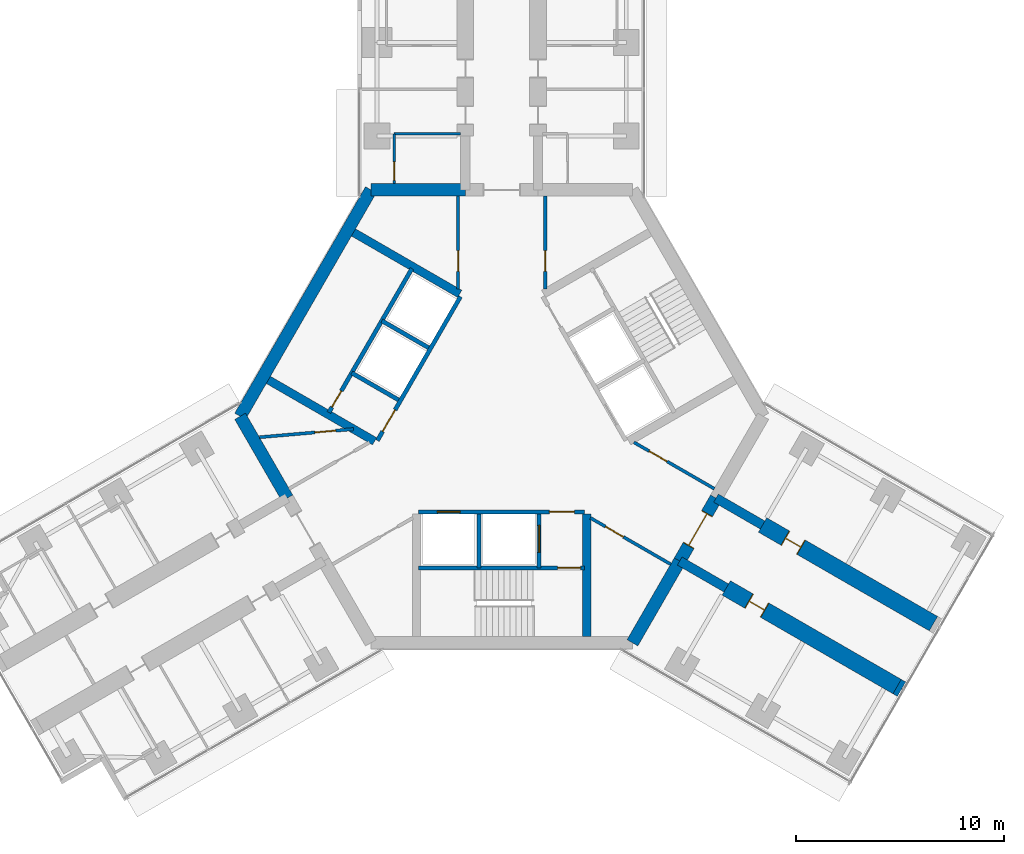
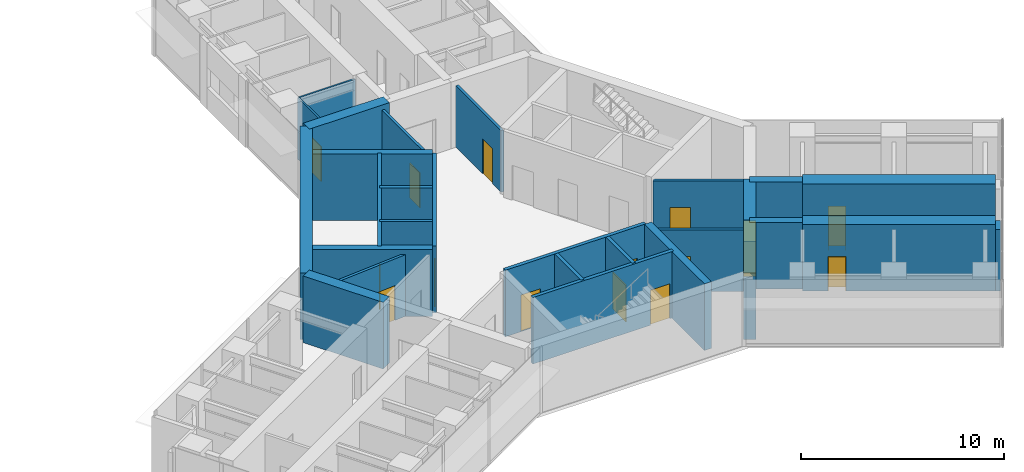
# One storey, part 19 of 23: 28 walls, 15 doors, 15 openings.
"""IFC4 building model written with IfcOpenShell, lengths in metres."""

from ifc_helpers import new_model, si_unit, direction, frame, frame_2d, origin, place, context, subcontext, project, spatial, rectangle, extrude, material, layer, layer_set, type_object, element, fill, save


model = new_model("IFC4")

# Units and contexts
model_context = context("Model", 3, precision=1e-05, world=origin(), true_north=direction((0.0, 1.0)))
body_context = subcontext(model_context, "Body", "Model", "MODEL_VIEW")
ifc_project = project(units=[si_unit("LENGTHUNIT", "METRE"), si_unit("AREAUNIT", "SQUARE_METRE"), si_unit("VOLUMEUNIT", "CUBIC_METRE"), si_unit("PLANEANGLEUNIT", "RADIAN"), si_unit("MASSUNIT", "GRAM", prefix="KILO")], contexts=[model_context])

# Site, building, storey
site_placement = place(None, origin())
site = spatial("IfcSite", under=ifc_project, at=site_placement, CompositionType="ELEMENT")
building_placement = place(site_placement, origin())
building = spatial("IfcBuilding", under=site, at=building_placement, Name="Upepo Twin Towers", CompositionType="ELEMENT")
storey_placement = place(building_placement, frame((0.0, 0.0, 161.5)))
storey = spatial("IfcBuildingStorey", under=building, at=storey_placement, Name="L39", CompositionType="ELEMENT", Elevation=161.5)

# Walls
ifc_material_1 = material(Name="Dense concrete blockwork", Category="masonry")
ifc_layer_1 = layer(ifc_material_1, 0.800048828125)
ifc_layer_set_1 = layer_set([ifc_layer_1], Name="Buttress closer 800, blockwork with fire-stopping to the curtain wall")
wall_type_1 = type_object("IfcWallType", Name="Buttress closer 800, blockwork with fire-stopping to the curtain wall", PredefinedType="PARTITIONING", material=ifc_layer_set_1)
wall_1_placement = place(storey_placement, frame((77.543701171875, -31.015625, 0.0), z_axis=(0.0, 0.0, 1.0), x_axis=(0.865827443207, -0.500342721131, 0.0)))
element("IfcWall", 1, at=wall_1_placement, inside=storey, type_object=wall_type_1, Name="T2 L39 wing C buttress closer R", PredefinedType="PARTITIONING", context=body_context, shape_type="SweptSolid", body=[
    extrude(rectangle(XDim=0.249755859375, YDim=0.800048828125, at=frame_2d((0.125, 0.0))), origin(), (0.0, 0.0, 1.0), 3.699951171875),
])
ifc_material_2 = material(Name="Concrete C60/75", Category="concrete")
ifc_layer_2 = layer(ifc_material_2, 0.449951171875)
ifc_layer_set_2 = layer_set([ifc_layer_2], Name="Concrete C60/75")
wall_type_2 = type_object("IfcWallType", Name="Buttress wall 450 RC", PredefinedType="SHEAR", material=ifc_layer_set_2)
for number, where, z_axis, x_axis, name in (
    (2, (68.82177734375, -21.938720703125, 0.0), (0.0, 0.0, 1.0), (0.866072649678, -0.499918158782, 0.0), "T2 wing C buttress wall L"),
    (3, (67.07177734375, -24.9697265625, 0.0), (0.0, 0.0, 1.0), (0.866031863473, -0.499988811324, 0.0), "T2 wing C buttress wall R"),
):
    element("IfcWall", number, at=place(storey_placement, frame(where, z_axis=z_axis, x_axis=x_axis)), inside=storey, type_object=wall_type_2, Name=name, PredefinedType="SHEAR", context=body_context, shape_type="SweptSolid", body=[
        extrude(rectangle(XDim=2.591796875, YDim=0.449951171875, at=frame_2d((1.2958984375, 0.0))), origin(), (0.0, 0.0, 1.0), 4.0),
    ])

# Wall, opening, door
ifc_material_3 = material(Name="Concrete C60/75", Category="concrete")
ifc_layer_3 = layer(ifc_material_3, 0.800048828125)
ifc_layer_set_3 = layer_set([ifc_layer_3], Name="Concrete C60/75")
wall_type_3 = type_object("IfcWallType", Name="Buttress wall 800 RC", PredefinedType="SHEAR", material=ifc_layer_set_3)
wall_2_placement = place(storey_placement, frame((71.06640625, -23.234375, 0.0), z_axis=(0.0, 0.0, 1.0), x_axis=(0.86602681393, -0.499997557548, 0.0)))
wall_2 = element("IfcWall", 4, at=wall_2_placement, inside=storey, type_object=wall_type_3, Name="T2 wing C buttress wall L part 2", PredefinedType="SHEAR", context=body_context, shape_type="SweptSolid", body=[
    extrude(rectangle(XDim=9.5, YDim=0.800048828125, at=frame_2d((4.75, 0.0))), origin(), (0.0, 0.0, 1.0), 4.0),
])
opening_1_placement = place(wall_2_placement, frame((1.25, 0.0, 0.0)))
opening_1 = element("IfcOpeningElement", 5, at=opening_1_placement, cuts=wall_2, Name="Opening D14", PredefinedType="OPENING", context=body_context, shape_type="SweptSolid", body=[
    extrude(rectangle(XDim=0.89990234375, YDim=2.10009765625, at=frame_2d((0.449951171875, 1.050048828125))), frame((0.0, 0.409912109375, 0.0), z_axis=(0.0, -1.0, 0.0), x_axis=(1.0, 0.0, 0.0)), (0.0, 0.0, 1.0), 0.820068359375),
])
ifc_material_4 = material(Name="Timber doorset", Category="wood")
door_type_1 = type_object("IfcDoorType", Name="Office door 900 FD30", OperationType="SINGLE_SWING_LEFT", PredefinedType="DOOR", material=ifc_material_4)
door_1_placement = place(opening_1_placement, origin())
door_1 = element("IfcDoor", 6, at=door_1_placement, inside=storey, type_object=door_type_1, Name="T2 L39 staff office door", OperationType="SINGLE_SWING_LEFT", OverallHeight=2.10009765625, OverallWidth=0.89990234375, PredefinedType="DOOR", context=body_context, shape_type="SweptSolid", body=[
    extrude(rectangle(XDim=0.81990234375, YDim=2.06009765625, at=frame_2d((0.449951171875, 1.030029296875))), frame((0.0, 0.02490234375, 0.0), z_axis=(0.0, -1.0, 0.0), x_axis=(1.0, 0.0, 0.0)), (0.0, 0.0, 1.0), 0.050048828125),
    extrude(rectangle(XDim=0.04, YDim=2.10009765625, at=frame_2d((0.02001953125, 1.050048828125))), frame((0.0, 0.39990234375, 0.0), z_axis=(0.0, -1.0, 0.0), x_axis=(1.0, 0.0, 0.0)), (0.0, 0.0, 1.0), 0.799560546875),
    extrude(rectangle(XDim=0.04, YDim=2.10009765625, at=frame_2d((0.8798828125, 1.050048828125))), frame((0.0, 0.39990234375, 0.0), z_axis=(0.0, -1.0, 0.0), x_axis=(1.0, 0.0, 0.0)), (0.0, 0.0, 1.0), 0.799560546875),
    extrude(rectangle(XDim=0.81990234375, YDim=0.04, at=frame_2d((0.449951171875, 2.080078125))), frame((0.0, 0.39990234375, 0.0), z_axis=(0.0, -1.0, 0.0), x_axis=(1.0, 0.0, 0.0)), (0.0, 0.0, 1.0), 0.799560546875),
])
fill(opening_1, door_1)

wall_3_placement = place(storey_placement, frame((69.31640625, -26.265625, 0.0), z_axis=(0.0, 0.0, 1.0), x_axis=(0.86602681393, -0.499997557548, 0.0)))
wall_3 = element("IfcWall", 7, at=wall_3_placement, inside=storey, type_object=wall_type_3, Name="T2 wing C buttress wall R part 2", PredefinedType="SHEAR", context=body_context, shape_type="SweptSolid", body=[
    extrude(rectangle(XDim=9.5, YDim=0.800048828125, at=frame_2d((4.75, 0.0))), origin(), (0.0, 0.0, 1.0), 4.0),
])
opening_2_placement = place(wall_3_placement, frame((1.25, 0.0, 0.0)))
opening_2 = element("IfcOpeningElement", 8, at=opening_2_placement, cuts=wall_3, Name="Opening D14", PredefinedType="OPENING", context=body_context, shape_type="SweptSolid", body=[
    extrude(rectangle(XDim=0.89990234375, YDim=2.10009765625, at=frame_2d((0.449951171875, 1.050048828125))), frame((0.0, 0.409912109375, 0.0), z_axis=(0.0, -1.0, 0.0), x_axis=(1.0, 0.0, 0.0)), (0.0, 0.0, 1.0), 0.820068359375),
])
door_2_placement = place(opening_2_placement, origin())
door_2 = element("IfcDoor", 9, at=door_2_placement, inside=storey, type_object=door_type_1, Name="T2 L39 staff office door", OperationType="SINGLE_SWING_LEFT", OverallHeight=2.10009765625, OverallWidth=0.89990234375, PredefinedType="DOOR", context=body_context, shape_type="SweptSolid", body=[
    extrude(rectangle(XDim=0.81990234375, YDim=2.06009765625, at=frame_2d((0.449951171875, 1.030029296875))), frame((0.0, 0.02490234375, 0.0), z_axis=(0.0, -1.0, 0.0), x_axis=(1.0, 0.0, 0.0)), (0.0, 0.0, 1.0), 0.050048828125),
    extrude(rectangle(XDim=0.04, YDim=2.10009765625, at=frame_2d((0.02001953125, 1.050048828125))), frame((0.0, 0.39990234375, 0.0), z_axis=(0.0, -1.0, 0.0), x_axis=(1.0, 0.0, 0.0)), (0.0, 0.0, 1.0), 0.799560546875),
    extrude(rectangle(XDim=0.04, YDim=2.10009765625, at=frame_2d((0.8798828125, 1.050048828125))), frame((0.0, 0.39990234375, 0.0), z_axis=(0.0, -1.0, 0.0), x_axis=(1.0, 0.0, 0.0)), (0.0, 0.0, 1.0), 0.799560546875),
    extrude(rectangle(XDim=0.81990234375, YDim=0.04, at=frame_2d((0.449951171875, 2.080078125))), frame((0.0, 0.39990234375, 0.0), z_axis=(0.0, -1.0, 0.0), x_axis=(1.0, 0.0, 0.0)), (0.0, 0.0, 1.0), 0.799560546875),
])
fill(opening_2, door_2)

# Walls
ifc_material_5 = material(Name="Concrete C60/75", Category="concrete")
ifc_layer_4 = layer(ifc_material_5, 0.60009765625)
ifc_layer_set_4 = layer_set([ifc_layer_4], Name="Concrete C60/75")
wall_type_4 = type_object("IfcWallType", Name="Core wall 600 RC", PredefinedType="SHEAR", material=ifc_layer_set_4)
wall_4_placement = place(storey_placement, frame((56.75, -7.091552734375, 0.0), z_axis=(0.0, 0.0, 1.0), x_axis=(-1.0, 0.0, 0.0)))
element("IfcWall", 10, at=wall_4_placement, inside=storey, type_object=wall_type_4, Name="T2 core wall 000 L", PredefinedType="SHEAR", context=body_context, shape_type="SweptSolid", body=[
    extrude(rectangle(XDim=4.5478515625, YDim=0.60009765625, at=frame_2d((2.27392578125, 0.0))), origin(), (0.0, 0.0, 1.0), 4.0),
])
wall_5_placement = place(storey_placement, frame((52.2021484375, -7.091552734375, 0.0), z_axis=(0.0, 0.0, 1.0), x_axis=(-0.500005998175, -0.866021940709, 0.0)))
element("IfcWall", 11, at=wall_5_placement, inside=storey, type_object=wall_type_4, Name="T2 core wall 060", PredefinedType="SHEAR", context=body_context, shape_type="SweptSolid", body=[
    extrude(rectangle(XDim=12.595947265625, YDim=0.60009765625, at=frame_2d((6.2978515625, 0.0))), origin(), (0.0, 0.0, 1.0), 4.0),
])
for number, where, z_axis, x_axis, name in (
    (12, (45.904052734375, -18.0, 0.0), (0.0, 0.0, 1.0), (0.500024481964, -0.866011268655, 0.0), "T2 core wall 120 R"),
    (13, (64.7978515625, -28.908447265625, 0.0), (0.0, 0.0, 1.0), (0.499984222037, 0.866034513004, 0.0), "T2 core wall 240 R"),
):
    element("IfcWall", number, at=place(storey_placement, frame(where, z_axis=z_axis, x_axis=x_axis)), inside=storey, type_object=wall_type_4, Name=name, PredefinedType="SHEAR", context=body_context, shape_type="SweptSolid", body=[
        extrude(rectangle(XDim=4.548095703125, YDim=0.60009765625, at=frame_2d((2.27392578125, 0.0))), origin(), (0.0, 0.0, 1.0), 4.0),
    ])

# Wall, opening, door
wall_6_placement = place(storey_placement, frame((67.07177734375, -24.9697265625, 0.0), z_axis=(0.0, 0.0, 1.0), x_axis=(0.500010275428, 0.866019471182, 0.0)))
wall_6 = element("IfcWall", 14, at=wall_6_placement, inside=storey, type_object=wall_type_4, Name="T2 core wall 240", PredefinedType="SHEAR", context=body_context, shape_type="SweptSolid", body=[
    extrude(rectangle(XDim=3.5, YDim=0.60009765625, at=frame_2d((1.75, 0.0))), origin(), (0.0, 0.0, 1.0), 4.0),
])
opening_3_placement = place(wall_6_placement, frame((0.85009765625, 0.0, 0.0)))
opening_3 = element("IfcOpeningElement", 15, at=opening_3_placement, cuts=wall_6, Name="Opening D2", PredefinedType="OPENING", context=body_context, shape_type="SweptSolid", body=[
    extrude(rectangle(XDim=1.800048828125, YDim=2.10009765625, at=frame_2d((0.89990234375, 1.050048828125))), frame((0.0, 0.31005859375, 0.0), z_axis=(0.0, -1.0, 0.0), x_axis=(1.0, 0.0, 0.0)), (0.0, 0.0, 1.0), 0.6201171875),
])
ifc_material_6 = material(Name="Timber doorset", Category="wood")
door_type_2 = type_object("IfcDoorType", Name="Corridor double door 1800 FD60", OperationType="DOUBLE_DOOR_DOUBLE_SWING", PredefinedType="DOOR", material=ifc_material_6)
door_3_placement = place(opening_3_placement, origin())
door_3 = element("IfcDoor", 16, at=door_3_placement, inside=storey, type_object=door_type_2, Name="T2 L39 wing C corridor door", OperationType="DOUBLE_DOOR_DOUBLE_SWING", OverallHeight=2.10009765625, OverallWidth=1.800048828125, PredefinedType="DOOR", context=body_context, shape_type="SweptSolid", body=[
    extrude(rectangle(XDim=1.720048828125, YDim=2.06009765625, at=frame_2d((0.89990234375, 1.030029296875))), frame((0.0, 0.02490234375, 0.0), z_axis=(0.0, -1.0, 0.0), x_axis=(1.0, 0.0, 0.0)), (0.0, 0.0, 1.0), 0.050048828125),
    extrude(rectangle(XDim=0.04, YDim=2.10009765625, at=frame_2d((0.02001953125, 1.050048828125))), frame((0.0, 0.2998046875, 0.0), z_axis=(0.0, -1.0, 0.0), x_axis=(1.0, 0.0, 0.0)), (0.0, 0.0, 1.0), 0.599609375),
    extrude(rectangle(XDim=0.04, YDim=2.10009765625, at=frame_2d((1.780029296875, 1.050048828125))), frame((0.0, 0.2998046875, 0.0), z_axis=(0.0, -1.0, 0.0), x_axis=(1.0, 0.0, 0.0)), (0.0, 0.0, 1.0), 0.599609375),
    extrude(rectangle(XDim=1.720048828125, YDim=0.04, at=frame_2d((0.89990234375, 2.080078125))), frame((0.0, 0.2998046875, 0.0), z_axis=(0.0, -1.0, 0.0), x_axis=(1.0, 0.0, 0.0)), (0.0, 0.0, 1.0), 0.599609375),
])
fill(opening_3, door_3)

ifc_material_7 = material(Name="Gypsum board on steel studs", Category="steel")
ifc_layer_5 = layer(ifc_material_7, 0.10009765625)
ifc_layer_set_5 = layer_set([ifc_layer_5], Name="Office partition 100 stud")
wall_type_5 = type_object("IfcWallType", Name="Office partition 100 stud", PredefinedType="PARTITIONING", material=ifc_layer_set_5)
wall_7_placement = place(storey_placement, frame((53.324951171875, -6.7919921875, 0.0), z_axis=(0.0, 0.0, 1.0), x_axis=(0.0, 1.0, 0.0)))
wall_7 = element("IfcWall", 17, at=wall_7_placement, inside=storey, type_object=wall_type_5, Name="T2 WC bay partition AL at 11.21", PredefinedType="PARTITIONING", context=body_context, shape_type="SweptSolid", body=[
    extrude(rectangle(XDim=2.39990234375, YDim=0.10009765625, at=frame_2d((1.199951171875, 0.0))), origin(), (0.0, 0.0, 1.0), 3.699951171875),
])
opening_4_placement = place(wall_7_placement, frame((0.14990234375, 0.0, 0.0)))
opening_4 = element("IfcOpeningElement", 18, at=opening_4_placement, cuts=wall_7, Name="Opening D14", PredefinedType="OPENING", context=body_context, shape_type="SweptSolid", body=[
    extrude(rectangle(XDim=0.89990234375, YDim=2.10009765625, at=frame_2d((0.449951171875, 1.050048828125))), frame((0.0, 0.06005859375, 0.0), z_axis=(0.0, -1.0, 0.0), x_axis=(1.0, 0.0, 0.0)), (0.0, 0.0, 1.0), 0.1201171875),
])
door_4_placement = place(opening_4_placement, origin())
door_4 = element("IfcDoor", 19, at=door_4_placement, inside=storey, type_object=door_type_1, Name="T2 L39 WC bay inner room door", OperationType="SINGLE_SWING_LEFT", OverallHeight=2.10009765625, OverallWidth=0.89990234375, PredefinedType="DOOR", context=body_context, shape_type="SweptSolid", body=[
    extrude(rectangle(XDim=0.89990234375, YDim=2.10009765625, at=frame_2d((0.449951171875, 1.050048828125))), frame((0.0, 0.02490234375, 0.0), z_axis=(0.0, -1.0, 0.0), x_axis=(1.0, 0.0, 0.0)), (0.0, 0.0, 1.0), 0.050048828125),
])
fill(opening_4, door_4)

# Wall
wall_8_placement = place(storey_placement, frame((56.52490234375, -4.39208984375, 0.0), z_axis=(0.0, 0.0, 1.0), x_axis=(-1.0, 0.0, 0.0)))
element("IfcWall", 20, at=wall_8_placement, inside=storey, type_object=wall_type_5, Name="T2 WC bay partition AL end at 13.61", PredefinedType="PARTITIONING", context=body_context, shape_type="SweptSolid", body=[
    extrude(rectangle(XDim=3.199951171875, YDim=0.10009765625, at=frame_2d((1.60009765625, 0.0))), origin(), (0.0, 0.0, 1.0), 3.699951171875),
])

# Wall, opening, door
ifc_material_8 = material(Name="Concrete C40/50", Category="concrete")
ifc_layer_6 = layer(ifc_material_8, 0.199951171875)
ifc_layer_set_6 = layer_set([ifc_layer_6], Name="Concrete C40/50")
wall_type_6 = type_object("IfcWallType", Name="Shaft wall 200 RC", PredefinedType="SHEAR", material=ifc_layer_set_6)
wall_9_placement = place(storey_placement, frame((56.516357421875, -12.23583984375, 0.0), z_axis=(0.0, 0.0, 1.0), x_axis=(-0.49999894854, -0.866026010844, 0.0)))
wall_9 = element("IfcWall", 21, at=wall_9_placement, inside=storey, type_object=wall_type_6, Name="T2 core W60 front wall", PredefinedType="SHEAR", context=body_context, shape_type="SweptSolid", body=[
    extrude(rectangle(XDim=8.0, YDim=0.199951171875, at=frame_2d((4.0, 0.0))), origin(), (0.0, 0.0, 1.0), 4.0),
])
opening_5_placement = place(wall_9_placement, frame((6.300048828125, 0.0, 0.0)))
opening_5 = element("IfcOpeningElement", 22, at=opening_5_placement, cuts=wall_9, Name="Opening D4", PredefinedType="OPENING", context=body_context, shape_type="SweptSolid", body=[
    extrude(rectangle(XDim=1.199951171875, YDim=2.10009765625, at=frame_2d((0.60009765625, 1.050048828125))), frame((0.0, 0.10986328125, 0.0), z_axis=(0.0, -1.0, 0.0), x_axis=(1.0, 0.0, 0.0)), (0.0, 0.0, 1.0), 0.219970703125),
])
ifc_material_9 = material(Name="Timber doorset", Category="wood")
door_type_3 = type_object("IfcDoorType", Name="Lobby door 1200 FD60", OperationType="SINGLE_SWING_LEFT", PredefinedType="DOOR", material=ifc_material_9)
door_5_placement = place(opening_5_placement, origin())
door_5 = element("IfcDoor", 23, at=door_5_placement, inside=storey, type_object=door_type_3, Name="T2 L39 W60 lobby door", OperationType="SINGLE_SWING_RIGHT", OverallHeight=2.10009765625, OverallWidth=1.199951171875, PredefinedType="DOOR", context=body_context, shape_type="SweptSolid", body=[
    extrude(rectangle(XDim=1.199951171875, YDim=2.10009765625, at=frame_2d((0.60009765625, 1.050048828125))), frame((0.0, 0.02490234375, 0.0), z_axis=(0.0, -1.0, 0.0), x_axis=(1.0, 0.0, 0.0)), (0.0, 0.0, 1.0), 0.050048828125),
])
fill(opening_5, door_5)

# Walls
for number, where, z_axis, x_axis, name in (
    (24, (54.979736328125, -14.697265625, 0.0), (0.0, 0.0, 1.0), (-0.866062058628, 0.499936506574, 0.0), "T2 core W60 shaft divider"),
    (25, (53.52978515625, -17.208740234375, 0.0), (0.0, 0.0, 1.0), (-0.866062058628, 0.499936506574, 0.0), "T2 core W60 lobby wall"),
):
    element("IfcWall", number, at=place(storey_placement, frame(where, z_axis=z_axis, x_axis=x_axis)), inside=storey, type_object=wall_type_6, Name=name, PredefinedType="SHEAR", context=body_context, shape_type="SweptSolid", body=[
        extrude(rectangle(XDim=2.599853515625, YDim=0.199951171875, at=frame_2d((1.2998046875, 0.0))), origin(), (0.0, 0.0, 1.0), 4.0),
    ])

# Wall, opening, door
wall_10_placement = place(storey_placement, frame((54.177978515625, -10.885986328125, 0.0), z_axis=(0.0, 0.0, 1.0), x_axis=(-0.49999894854, -0.866026010844, 0.0)))
wall_10 = element("IfcWall", 26, at=wall_10_placement, inside=storey, type_object=wall_type_6, Name="T2 core W60 stair wall", PredefinedType="SHEAR", context=body_context, shape_type="SweptSolid", body=[
    extrude(rectangle(XDim=8.0, YDim=0.199951171875, at=frame_2d((4.0, 0.0))), origin(), (0.0, 0.0, 1.0), 4.0),
])
opening_6_placement = place(wall_10_placement, frame((6.800048828125, 0.0, 0.0)))
opening_6 = element("IfcOpeningElement", 27, at=opening_6_placement, cuts=wall_10, Name="Opening D9", PredefinedType="OPENING", context=body_context, shape_type="SweptSolid", body=[
    extrude(rectangle(XDim=0.89990234375, YDim=2.10009765625, at=frame_2d((0.449951171875, 1.050048828125))), frame((0.0, 0.10986328125, 0.0), z_axis=(0.0, -1.0, 0.0), x_axis=(1.0, 0.0, 0.0)), (0.0, 0.0, 1.0), 0.219970703125),
])
ifc_material_10 = material(Name="Timber doorset", Category="wood")
door_type_4 = type_object("IfcDoorType", Name="Riser door 900 FD60", OperationType="SINGLE_SWING_LEFT", PredefinedType="DOOR", material=ifc_material_10)
door_6_placement = place(opening_6_placement, origin())
door_6 = element("IfcDoor", 28, at=door_6_placement, inside=storey, type_object=door_type_4, Name="T2 L39 riser door", OperationType="SINGLE_SWING_RIGHT", OverallHeight=2.10009765625, OverallWidth=0.89990234375, PredefinedType="DOOR", context=body_context, shape_type="SweptSolid", body=[
    extrude(rectangle(XDim=0.89990234375, YDim=2.10009765625, at=frame_2d((0.449951171875, 1.050048828125))), frame((0.0, 0.02490234375, 0.0), z_axis=(0.0, -1.0, 0.0), x_axis=(1.0, 0.0, 0.0)), (0.0, 0.0, 1.0), 0.050048828125),
])
fill(opening_6, door_6)

# Wall, openings, doors
wall_11_placement = place(storey_placement, frame((54.5, -22.60009765625, 0.0), z_axis=(0.0, 0.0, 1.0), x_axis=(1.0, 0.0, 0.0)))
wall_11 = element("IfcWall", 29, at=wall_11_placement, inside=storey, type_object=wall_type_6, Name="T2 core W180 front wall", PredefinedType="SHEAR", context=body_context, shape_type="SweptSolid", body=[
    extrude(rectangle(XDim=8.0, YDim=0.199951171875, at=frame_2d((4.0, 0.0))), origin(), (0.0, 0.0, 1.0), 4.0),
])
opening_7_placement = place(wall_11_placement, frame((6.300048828125, 0.0, 0.0)))
opening_7 = element("IfcOpeningElement", 30, at=opening_7_placement, cuts=wall_11, Name="Opening D4", PredefinedType="OPENING", context=body_context, shape_type="SweptSolid", body=[
    extrude(rectangle(XDim=1.199951171875, YDim=2.10009765625, at=frame_2d((0.60009765625, 1.050048828125))), frame((0.0, 0.10986328125, 0.0), z_axis=(0.0, -1.0, 0.0), x_axis=(1.0, 0.0, 0.0)), (0.0, 0.0, 1.0), 0.219970703125),
])
opening_8_placement = place(wall_11_placement, frame((0.89990234375, 0.0, 0.0)))
opening_8 = element("IfcOpeningElement", 31, at=opening_8_placement, cuts=wall_11, Name="Opening LD1", PredefinedType="OPENING", context=body_context, shape_type="SweptSolid", body=[
    extrude(rectangle(XDim=1.10009765625, YDim=2.199951171875, at=frame_2d((0.550048828125, 1.10009765625))), frame((0.0, 0.10986328125, 0.0), z_axis=(0.0, -1.0, 0.0), x_axis=(1.0, 0.0, 0.0)), (0.0, 0.0, 1.0), 0.219970703125),
])
ifc_material_11 = material(Name="Steel doorset", Category="steel")
door_type_5 = type_object("IfcDoorType", Name="Lift landing door 1100", OperationType="DOUBLE_DOOR_SLIDING", PredefinedType="DOOR", material=ifc_material_11)
door_7_placement = place(opening_8_placement, origin())
door_7 = element("IfcDoor", 32, at=door_7_placement, inside=storey, type_object=door_type_5, Name="T2 L39 lift SV1 landing door", OperationType="DOUBLE_DOOR_SLIDING", OverallHeight=2.199951171875, OverallWidth=1.10009765625, PredefinedType="DOOR", context=body_context, shape_type="SweptSolid", body=[
    extrude(rectangle(XDim=1.10009765625, YDim=2.199951171875, at=frame_2d((0.550048828125, 1.10009765625))), frame((0.0, 0.02490234375, 0.0), z_axis=(0.0, -1.0, 0.0), x_axis=(1.0, 0.0, 0.0)), (0.0, 0.0, 1.0), 0.050048828125),
])
fill(opening_8, door_7)
door_8_placement = place(opening_7_placement, origin())
door_8 = element("IfcDoor", 33, at=door_8_placement, inside=storey, type_object=door_type_3, Name="T2 L39 W180 lobby door", OperationType="SINGLE_SWING_RIGHT", OverallHeight=2.10009765625, OverallWidth=1.199951171875, PredefinedType="DOOR", context=body_context, shape_type="SweptSolid", body=[
    extrude(rectangle(XDim=1.199951171875, YDim=2.10009765625, at=frame_2d((0.60009765625, 1.050048828125))), frame((0.0, 0.02490234375, 0.0), z_axis=(0.0, -1.0, 0.0), x_axis=(1.0, 0.0, 0.0)), (0.0, 0.0, 1.0), 0.050048828125),
])
fill(opening_7, door_8)

# Wall
wall_12_placement = place(storey_placement, frame((57.39990234375, -22.699951171875, 0.0), z_axis=(0.0, 0.0, 1.0), x_axis=(0.0, -1.0, 0.0)))
element("IfcWall", 34, at=wall_12_placement, inside=storey, type_object=wall_type_6, Name="T2 core W180 shaft divider", PredefinedType="SHEAR", context=body_context, shape_type="SweptSolid", body=[
    extrude(rectangle(XDim=2.60009765625, YDim=0.199951171875, at=frame_2d((1.300048828125, 0.0))), origin(), (0.0, 0.0, 1.0), 4.0),
])

# Wall, opening, door
wall_13_placement = place(storey_placement, frame((60.300048828125, -22.699951171875, 0.0), z_axis=(0.0, 0.0, 1.0), x_axis=(0.0, -1.0, 0.0)))
wall_13 = element("IfcWall", 35, at=wall_13_placement, inside=storey, type_object=wall_type_6, Name="T2 core W180 lobby wall", PredefinedType="SHEAR", context=body_context, shape_type="SweptSolid", body=[
    extrude(rectangle(XDim=2.60009765625, YDim=0.199951171875, at=frame_2d((1.300048828125, 0.0))), origin(), (0.0, 0.0, 1.0), 4.0),
])
opening_9_placement = place(wall_13_placement, frame((0.550048828125, 0.0, 0.0)))
opening_9 = element("IfcOpeningElement", 36, at=opening_9_placement, cuts=wall_13, Name="Opening LD2", PredefinedType="OPENING", context=body_context, shape_type="SweptSolid", body=[
    extrude(rectangle(XDim=1.300048828125, YDim=2.199951171875, at=frame_2d((0.64990234375, 1.10009765625))), frame((0.0, 0.10986328125, 0.0), z_axis=(0.0, -1.0, 0.0), x_axis=(1.0, 0.0, 0.0)), (0.0, 0.0, 1.0), 0.219970703125),
])
ifc_material_12 = material(Name="Steel doorset", Category="steel")
door_type_6 = type_object("IfcDoorType", Name="Firefighting lift landing door 1300", OperationType="DOUBLE_DOOR_SLIDING", PredefinedType="DOOR", material=ifc_material_12)
door_9_placement = place(opening_9_placement, origin())
door_9 = element("IfcDoor", 37, at=door_9_placement, inside=storey, type_object=door_type_6, Name="T2 L39 firefighting lift landing door", OperationType="DOUBLE_DOOR_SLIDING", OverallHeight=2.199951171875, OverallWidth=1.300048828125, PredefinedType="DOOR", context=body_context, shape_type="SweptSolid", body=[
    extrude(rectangle(XDim=1.300048828125, YDim=2.199951171875, at=frame_2d((0.64990234375, 1.10009765625))), frame((0.0, 0.02490234375, 0.0), z_axis=(0.0, -1.0, 0.0), x_axis=(1.0, 0.0, 0.0)), (0.0, 0.0, 1.0), 0.050048828125),
])
fill(opening_9, door_9)

wall_14_placement = place(storey_placement, frame((54.5, -25.300048828125, 0.0), z_axis=(0.0, 0.0, 1.0), x_axis=(1.0, 0.0, 0.0)))
wall_14 = element("IfcWall", 38, at=wall_14_placement, inside=storey, type_object=wall_type_6, Name="T2 core W180 stair wall", PredefinedType="SHEAR", context=body_context, shape_type="SweptSolid", body=[
    extrude(rectangle(XDim=8.0, YDim=0.199951171875, at=frame_2d((4.0, 0.0))), origin(), (0.0, 0.0, 1.0), 4.0),
])
opening_10_placement = place(wall_14_placement, frame((6.699951171875, 0.0, 0.0)))
opening_10 = element("IfcOpeningElement", 39, at=opening_10_placement, cuts=wall_14, Name="Opening D3", PredefinedType="OPENING", context=body_context, shape_type="SweptSolid", body=[
    extrude(rectangle(XDim=1.10009765625, YDim=2.10009765625, at=frame_2d((0.550048828125, 1.050048828125))), frame((0.0, 0.10986328125, 0.0), z_axis=(0.0, -1.0, 0.0), x_axis=(1.0, 0.0, 0.0)), (0.0, 0.0, 1.0), 0.219970703125),
])
ifc_material_13 = material(Name="Timber doorset", Category="wood")
door_type_7 = type_object("IfcDoorType", Name="Stair door 1100 FD60", OperationType="SINGLE_SWING_LEFT", PredefinedType="DOOR", material=ifc_material_13)
door_10_placement = place(opening_10_placement, origin())
door_10 = element("IfcDoor", 40, at=door_10_placement, inside=storey, type_object=door_type_7, Name="T2 L39 stair door", OperationType="SINGLE_SWING_RIGHT", OverallHeight=2.10009765625, OverallWidth=1.10009765625, PredefinedType="DOOR", context=body_context, shape_type="SweptSolid", body=[
    extrude(rectangle(XDim=1.10009765625, YDim=2.10009765625, at=frame_2d((0.550048828125, 1.050048828125))), frame((0.0, 0.02490234375, 0.0), z_axis=(0.0, -1.0, 0.0), x_axis=(1.0, 0.0, 0.0)), (0.0, 0.0, 1.0), 0.050048828125),
])
fill(opening_10, door_10)

# Walls
ifc_material_14 = material(Name="Concrete C40/50", Category="concrete")
ifc_layer_7 = layer(ifc_material_14, 0.39990234375)
ifc_layer_set_7 = layer_set([ifc_layer_7], Name="Concrete C40/50")
wall_type_7 = type_object("IfcWallType", Name="Shaft wall 400 RC", PredefinedType="SHEAR", material=ifc_layer_set_7)
wall_15_placement = place(storey_placement, frame((52.379638671875, -19.20068359375, 0.0), z_axis=(0.0, 0.0, 1.0), x_axis=(-0.866027317282, 0.49999668571, 0.0)))
element("IfcWall", 41, at=wall_15_placement, inside=storey, type_object=wall_type_7, Name="T2 core W60 side wall N", PredefinedType="SHEAR", context=body_context, shape_type="SweptSolid", body=[
    extrude(rectangle(XDim=5.908203125, YDim=0.39990234375, at=frame_2d((2.9541015625, 0.0))), origin(), (0.0, 0.0, 1.0), 4.0),
])
for number, where, z_axis, x_axis, name in (
    (42, (56.479736328125, -12.099365234375, 0.0), (0.0, 0.0, 1.0), (-0.866009424208, 0.500027676417, 0.0), "T2 core W60 side wall S"),
    (43, (62.60009765625, -22.699951171875, 0.0), (0.0, 0.0, 1.0), (0.0, -1.0, 0.0), "T2 core W180 side wall N"),
):
    element("IfcWall", number, at=place(storey_placement, frame(where, z_axis=z_axis, x_axis=x_axis)), inside=storey, type_object=wall_type_7, Name=name, PredefinedType="SHEAR", context=body_context, shape_type="SweptSolid", body=[
        extrude(rectangle(XDim=5.908447265625, YDim=0.39990234375, at=frame_2d((2.9541015625, 0.0))), origin(), (0.0, 0.0, 1.0), 4.0),
    ])

# Wall, opening, door
ifc_material_15 = material(Name="Gypsum board on steel studs", Category="steel")
ifc_layer_8 = layer(ifc_material_15, 0.14990234375)
ifc_layer_set_8 = layer_set([ifc_layer_8], Name="Teaching partition 150 acoustic")
wall_type_8 = type_object("IfcWallType", Name="Teaching partition 150 acoustic", PredefinedType="PARTITIONING", material=ifc_layer_set_8)
wall_16_placement = place(storey_placement, frame((56.39990234375, -11.857421875, 0.0), z_axis=(0.0, 0.0, 1.0), x_axis=(0.0, 1.0, 0.0)))
wall_16 = element("IfcWall", 44, at=wall_16_placement, inside=storey, type_object=wall_type_8, Name="T2 core room partition 2", PredefinedType="PARTITIONING", context=body_context, shape_type="SweptSolid", body=[
    extrude(rectangle(XDim=4.475830078125, YDim=0.14990234375, at=frame_2d((2.23779296875, 0.0))), origin(), (0.0, 0.0, 1.0), 3.699951171875),
])
opening_11_placement = place(wall_16_placement, frame((0.8427734375, 0.0, 0.0)))
opening_11 = element("IfcOpeningElement", 45, at=opening_11_placement, cuts=wall_16, Name="Opening D1", PredefinedType="OPENING", context=body_context, shape_type="SweptSolid", body=[
    extrude(rectangle(XDim=1.0, YDim=2.10009765625, at=frame_2d((0.5, 1.050048828125))), frame((0.0, 0.0849609375, 0.0), z_axis=(0.0, -1.0, 0.0), x_axis=(1.0, 0.0, 0.0)), (0.0, 0.0, 1.0), 0.169921875),
])
ifc_material_16 = material(Name="Timber doorset", Category="wood")
door_type_8 = type_object("IfcDoorType", Name="Room door 1000 FD30", OperationType="SINGLE_SWING_LEFT", PredefinedType="DOOR", material=ifc_material_16)
door_11_placement = place(opening_11_placement, origin())
door_11 = element("IfcDoor", 46, at=door_11_placement, inside=storey, type_object=door_type_8, Name="T2 L39 core room door K7", OperationType="SINGLE_SWING_LEFT", OverallHeight=2.10009765625, OverallWidth=1.0, PredefinedType="DOOR", context=body_context, shape_type="SweptSolid", body=[
    extrude(rectangle(XDim=1.0, YDim=2.10009765625, at=frame_2d((0.5, 1.050048828125))), frame((0.0, 0.02490234375, 0.0), z_axis=(0.0, -1.0, 0.0), x_axis=(1.0, 0.0, 0.0)), (0.0, 0.0, 1.0), 0.050048828125),
])
fill(opening_11, door_11)

wall_17_placement = place(storey_placement, frame((60.60009765625, -7.381591796875, 0.0), z_axis=(0.0, 0.0, 1.0), x_axis=(0.0, -1.0, 0.0)))
wall_17 = element("IfcWall", 47, at=wall_17_placement, inside=storey, type_object=wall_type_8, Name="T2 core room partition 3", PredefinedType="PARTITIONING", context=body_context, shape_type="SweptSolid", body=[
    extrude(rectangle(XDim=4.475830078125, YDim=0.14990234375, at=frame_2d((2.23779296875, 0.0))), origin(), (0.0, 0.0, 1.0), 3.699951171875),
])
opening_12_placement = place(wall_17_placement, frame((2.6328125, 0.0, 0.0)))
opening_12 = element("IfcOpeningElement", 48, at=opening_12_placement, cuts=wall_17, Name="Opening D1", PredefinedType="OPENING", context=body_context, shape_type="SweptSolid", body=[
    extrude(rectangle(XDim=1.0, YDim=2.10009765625, at=frame_2d((0.5, 1.050048828125))), frame((0.0, 0.0849609375, 0.0), z_axis=(0.0, -1.0, 0.0), x_axis=(1.0, 0.0, 0.0)), (0.0, 0.0, 1.0), 0.169921875),
])
door_12_placement = place(opening_12_placement, origin())
door_12 = element("IfcDoor", 49, at=door_12_placement, inside=storey, type_object=door_type_8, Name="T2 L39 core room door K6", OperationType="SINGLE_SWING_RIGHT", OverallHeight=2.10009765625, OverallWidth=1.0, PredefinedType="DOOR", context=body_context, shape_type="SweptSolid", body=[
    extrude(rectangle(XDim=1.0, YDim=2.10009765625, at=frame_2d((0.5, 1.050048828125))), frame((0.0, 0.02490234375, 0.0), z_axis=(0.0, -1.0, 0.0), x_axis=(1.0, 0.0, 0.0)), (0.0, 0.0, 1.0), 0.050048828125),
])
fill(opening_12, door_12)

wall_18_placement = place(storey_placement, frame((64.86962890625, -19.252685546875, 0.0), z_axis=(0.0, 0.0, 1.0), x_axis=(0.866025707867, -0.499999473313, 0.0)))
wall_18 = element("IfcWall", 50, at=wall_18_placement, inside=storey, type_object=wall_type_8, Name="T2 core room partition 4", PredefinedType="PARTITIONING", context=body_context, shape_type="SweptSolid", body=[
    extrude(rectangle(XDim=4.4755859375, YDim=0.14990234375, at=frame_2d((2.23779296875, 0.0))), origin(), (0.0, 0.0, 1.0), 3.699951171875),
])
opening_13_placement = place(wall_18_placement, frame((0.8427734375, 0.0, 0.0)))
opening_13 = element("IfcOpeningElement", 51, at=opening_13_placement, cuts=wall_18, Name="Opening D1", PredefinedType="OPENING", context=body_context, shape_type="SweptSolid", body=[
    extrude(rectangle(XDim=1.0, YDim=2.10009765625, at=frame_2d((0.5, 1.050048828125))), frame((0.0, 0.0849609375, 0.0), z_axis=(0.0, -1.0, 0.0), x_axis=(1.0, 0.0, 0.0)), (0.0, 0.0, 1.0), 0.169921875),
])
door_13_placement = place(opening_13_placement, origin())
door_13 = element("IfcDoor", 52, at=door_13_placement, inside=storey, type_object=door_type_8, Name="T2 L39 core room door K5", OperationType="SINGLE_SWING_LEFT", OverallHeight=2.10009765625, OverallWidth=1.0, PredefinedType="DOOR", context=body_context, shape_type="SweptSolid", body=[
    extrude(rectangle(XDim=1.0, YDim=2.10009765625, at=frame_2d((0.5, 1.050048828125))), frame((0.0, 0.02490234375, 0.0), z_axis=(0.0, -1.0, 0.0), x_axis=(1.0, 0.0, 0.0)), (0.0, 0.0, 1.0), 0.050048828125),
])
fill(opening_13, door_13)

wall_19_placement = place(storey_placement, frame((66.645751953125, -25.127685546875, 0.0), z_axis=(0.0, 0.0, 1.0), x_axis=(-0.866025707867, 0.499999473313, 0.0)))
wall_19 = element("IfcWall", 53, at=wall_19_placement, inside=storey, type_object=wall_type_8, Name="T2 core room partition 5", PredefinedType="PARTITIONING", context=body_context, shape_type="SweptSolid", body=[
    extrude(rectangle(XDim=4.4755859375, YDim=0.14990234375, at=frame_2d((2.23779296875, 0.0))), origin(), (0.0, 0.0, 1.0), 3.699951171875),
])
opening_14_placement = place(wall_19_placement, frame((2.633056640625, 0.0, 0.0)))
opening_14 = element("IfcOpeningElement", 54, at=opening_14_placement, cuts=wall_19, Name="Opening D1", PredefinedType="OPENING", context=body_context, shape_type="SweptSolid", body=[
    extrude(rectangle(XDim=1.0, YDim=2.10009765625, at=frame_2d((0.5, 1.050048828125))), frame((0.0, 0.0849609375, 0.0), z_axis=(0.0, -1.0, 0.0), x_axis=(1.0, 0.0, 0.0)), (0.0, 0.0, 1.0), 0.169921875),
])
door_14_placement = place(opening_14_placement, origin())
door_14 = element("IfcDoor", 55, at=door_14_placement, inside=storey, type_object=door_type_8, Name="T2 L39 core room door K4", OperationType="SINGLE_SWING_RIGHT", OverallHeight=2.10009765625, OverallWidth=1.0, PredefinedType="DOOR", context=body_context, shape_type="SweptSolid", body=[
    extrude(rectangle(XDim=1.0, YDim=2.10009765625, at=frame_2d((0.5, 1.050048828125))), frame((0.0, 0.02490234375, 0.0), z_axis=(0.0, -1.0, 0.0), x_axis=(1.0, 0.0, 0.0)), (0.0, 0.0, 1.0), 0.050048828125),
])
fill(opening_14, door_14)

wall_20_placement = place(storey_placement, frame((51.366943359375, -18.6162109375, 0.0), z_axis=(0.0, 0.0, 1.0), x_axis=(-0.996291540593, -0.086041653535, 0.0)))
wall_20 = element("IfcWall", 56, at=wall_20_placement, inside=storey, type_object=wall_type_8, Name="T2 core room partition 7", PredefinedType="PARTITIONING", context=body_context, shape_type="SweptSolid", body=[
    extrude(rectangle(XDim=4.55126953125, YDim=0.14990234375, at=frame_2d((2.275634765625, 0.0))), origin(), (0.0, 0.0, 1.0), 3.699951171875),
])
opening_15_placement = place(wall_20_placement, frame((0.865478515625, 0.0, 0.0)))
opening_15 = element("IfcOpeningElement", 57, at=opening_15_placement, cuts=wall_20, Name="Opening D1", PredefinedType="OPENING", context=body_context, shape_type="SweptSolid", body=[
    extrude(rectangle(XDim=1.0, YDim=2.10009765625, at=frame_2d((0.5, 1.050048828125))), frame((0.0, 0.0849609375, 0.0), z_axis=(0.0, -1.0, 0.0), x_axis=(1.0, 0.0, 0.0)), (0.0, 0.0, 1.0), 0.169921875),
])
door_15_placement = place(opening_15_placement, origin())
door_15 = element("IfcDoor", 58, at=door_15_placement, inside=storey, type_object=door_type_8, Name="T2 L39 core room door K1", OperationType="SINGLE_SWING_LEFT", OverallHeight=2.10009765625, OverallWidth=1.0, PredefinedType="DOOR", context=body_context, shape_type="SweptSolid", body=[
    extrude(rectangle(XDim=1.0, YDim=2.10009765625, at=frame_2d((0.5, 1.050048828125))), frame((0.0, 0.02490234375, 0.0), z_axis=(0.0, -1.0, 0.0), x_axis=(1.0, 0.0, 0.0)), (0.0, 0.0, 1.0), 0.050048828125),
])
fill(opening_15, door_15)

save(model, "model.ifc")
